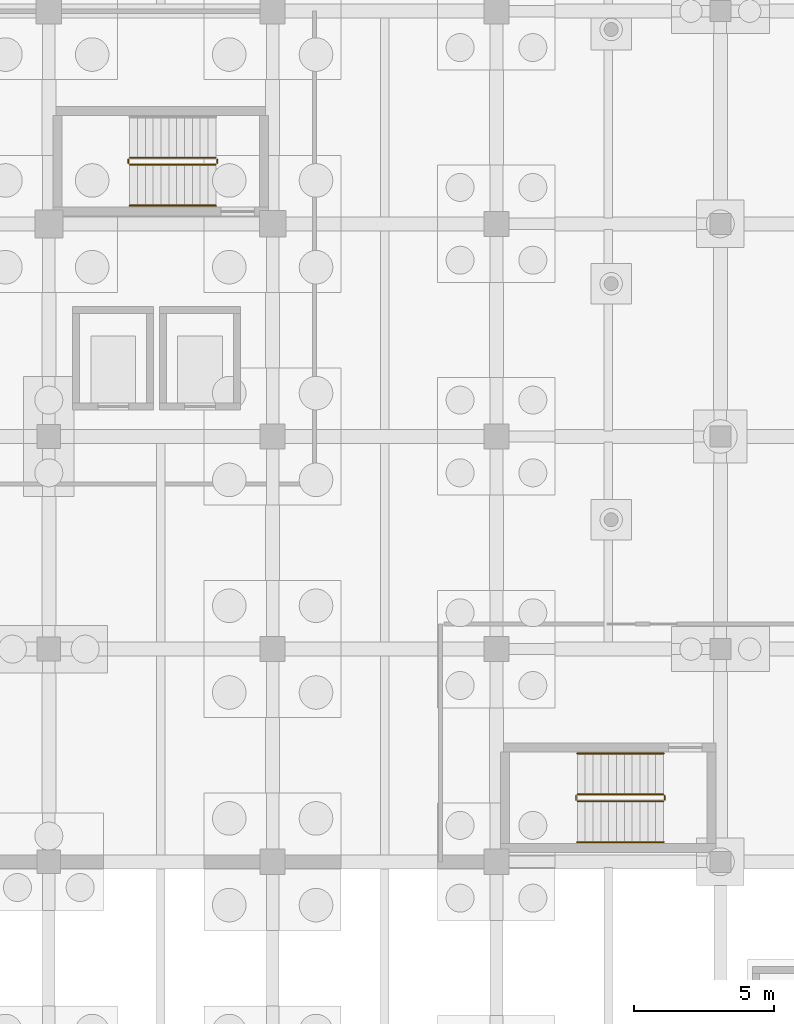
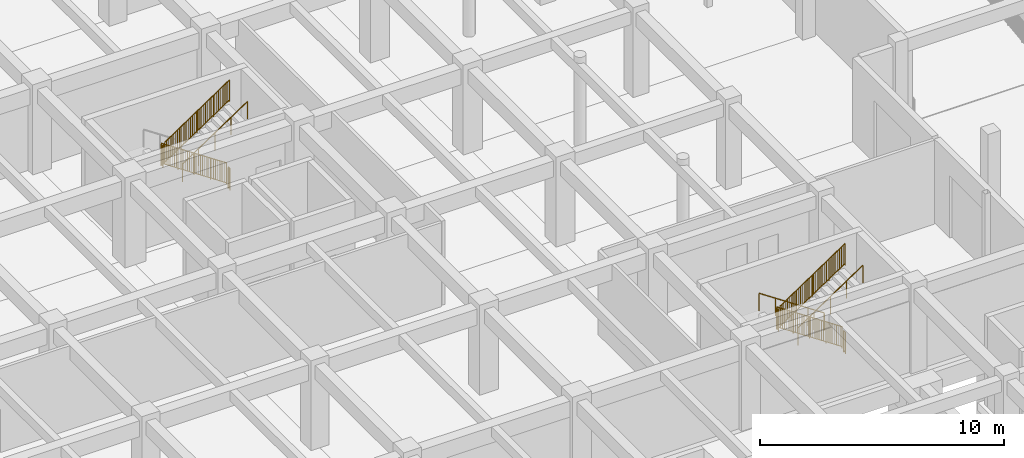
# One storey, part 46 of 49: 11 railings.
"""IFC4 building model written with IfcOpenShell, lengths in metres."""

from ifc_helpers import new_model, si_unit, direction, frame, origin, origin_2d, place, context, subcontext, project, spatial, rectangle, circle, extrude, material, type_object, element, save


model = new_model("IFC4")

# Units and contexts
model_context = context("Model", 3, precision=1e-05, world=origin(), true_north=direction((0.0, 1.0)))
body_context = subcontext(model_context, "Body", "Model", "MODEL_VIEW")
ifc_project = project(units=[si_unit("LENGTHUNIT", "METRE"), si_unit("AREAUNIT", "SQUARE_METRE"), si_unit("VOLUMEUNIT", "CUBIC_METRE"), si_unit("PLANEANGLEUNIT", "RADIAN"), si_unit("MASSUNIT", "GRAM", prefix="KILO")], contexts=[model_context])

# Site, building, storey
site_placement = place(None, origin())
site = spatial("IfcSite", under=ifc_project, at=site_placement, CompositionType="ELEMENT")
building_placement = place(site_placement, origin())
building = spatial("IfcBuilding", under=site, at=building_placement, Name="Zantavel Square City Hall", CompositionType="ELEMENT")
storey_placement = place(building_placement, frame((0.0, 0.0, -4.5)))
storey = spatial("IfcBuildingStorey", under=building, at=storey_placement, Name="B1", CompositionType="ELEMENT", Elevation=-4.5)

# Railings
ifc_material_1 = material(Name="Steel ASTM A500 Grade B", Category="steel")
railing_type_1 = type_object("IfcRailingType", Name="Atrium & Gallery Steel Guard Railing 1100mm", PredefinedType="GUARDRAIL", material=ifc_material_1)
railing_1_placement = place(storey_placement, frame((117.969970703125, 40.409912109375, 0.1875)))
element("IfcRailing", 1, at=railing_1_placement, inside=storey, type_object=railing_type_1, Name="B1 ST4 stair guard 1", PredefinedType="GUARDRAIL", context=body_context, shape_type="SweptSolid", body=[
    extrude(circle(Radius=0.02392578125, at=origin_2d()), frame((0.0, 0.0, 1.076171875), z_axis=(-0.830913701846, 0.0, 0.55640131208), x_axis=(0.0, -1.0, 0.0)), (0.0, 0.0, 1.0), 3.706787109375),
    extrude(rectangle(XDim=0.031982421875, YDim=0.031982421875, at=origin_2d()), frame((0.0, 0.0, 0.080078125), z_axis=(-0.830913701846, 0.0, 0.55640131208), x_axis=(0.0, -1.0, 0.0)), (0.0, 0.0, 1.0), 3.706787109375),
    extrude(rectangle(XDim=0.02197265625, YDim=0.02197265625, at=origin_2d()), frame((-0.087890625, 0.0, 0.138916015625)), (0.0, 0.0, 1.0), 0.971923828125),
    extrude(rectangle(XDim=0.02197265625, YDim=0.02197265625, at=origin_2d()), frame((-0.176025390625, 0.0, 0.19775390625)), (0.0, 0.0, 1.0), 0.971923828125),
    extrude(rectangle(XDim=0.02197265625, YDim=0.02197265625, at=origin_2d()), frame((-0.263916015625, 0.0, 0.2568359375)), (0.0, 0.0, 1.0), 0.971923828125),
    extrude(rectangle(XDim=0.02197265625, YDim=0.02197265625, at=origin_2d()), frame((-0.35205078125, 0.0, 0.315673828125)), (0.0, 0.0, 1.0), 0.971923828125),
    extrude(rectangle(XDim=0.02197265625, YDim=0.02197265625, at=origin_2d()), frame((-0.43994140625, 0.0, 0.374755859375)), (0.0, 0.0, 1.0), 0.971923828125),
    extrude(rectangle(XDim=0.02197265625, YDim=0.02197265625, at=origin_2d()), frame((-0.528076171875, 0.0, 0.43359375)), (0.0, 0.0, 1.0), 0.971923828125),
    extrude(rectangle(XDim=0.02197265625, YDim=0.02197265625, at=origin_2d()), frame((-0.615966796875, 0.0, 0.492431640625)), (0.0, 0.0, 1.0), 0.971923828125),
    extrude(rectangle(XDim=0.02197265625, YDim=0.02197265625, at=origin_2d()), frame((-0.7041015625, 0.0, 0.551513671875)), (0.0, 0.0, 1.0), 0.971923828125),
    extrude(rectangle(XDim=0.02197265625, YDim=0.02197265625, at=origin_2d()), frame((-0.880126953125, 0.0, 0.669189453125)), (0.0, 0.0, 1.0), 0.971923828125),
    extrude(rectangle(XDim=0.02197265625, YDim=0.02197265625, at=origin_2d()), frame((-0.968017578125, 0.0, 0.728271484375)), (0.0, 0.0, 1.0), 0.971923828125),
    extrude(rectangle(XDim=0.02197265625, YDim=0.02197265625, at=origin_2d()), frame((-1.055908203125, 0.0, 0.787109375)), (0.0, 0.0, 1.0), 0.971923828125),
    extrude(rectangle(XDim=0.02197265625, YDim=0.02197265625, at=origin_2d()), frame((-1.14404296875, 0.0, 0.84619140625)), (0.0, 0.0, 1.0), 0.971923828125),
    extrude(rectangle(XDim=0.02197265625, YDim=0.02197265625, at=origin_2d()), frame((-1.23193359375, 0.0, 0.905029296875)), (0.0, 0.0, 1.0), 0.971923828125),
    extrude(rectangle(XDim=0.02197265625, YDim=0.02197265625, at=origin_2d()), frame((-1.320068359375, 0.0, 0.9638671875)), (0.0, 0.0, 1.0), 0.971923828125),
    extrude(rectangle(XDim=0.02197265625, YDim=0.02197265625, at=origin_2d()), frame((-1.407958984375, 0.0, 1.02294921875)), (0.0, 0.0, 1.0), 0.971923828125),
    extrude(rectangle(XDim=0.02197265625, YDim=0.02197265625, at=origin_2d()), frame((-1.49609375, 0.0, 1.081787109375)), (0.0, 0.0, 1.0), 0.971923828125),
    extrude(rectangle(XDim=0.02197265625, YDim=0.02197265625, at=origin_2d()), frame((-1.583984375, 0.0, 1.140625)), (0.0, 0.0, 1.0), 0.971923828125),
    extrude(rectangle(XDim=0.02197265625, YDim=0.02197265625, at=origin_2d()), frame((-1.672119140625, 0.0, 1.19970703125)), (0.0, 0.0, 1.0), 0.971923828125),
    extrude(rectangle(XDim=0.02197265625, YDim=0.02197265625, at=origin_2d()), frame((-1.760009765625, 0.0, 1.258544921875)), (0.0, 0.0, 1.0), 0.971923828125),
    extrude(rectangle(XDim=0.02197265625, YDim=0.02197265625, at=origin_2d()), frame((-1.84814453125, 0.0, 1.3173828125)), (0.0, 0.0, 1.0), 0.971923828125),
    extrude(rectangle(XDim=0.02197265625, YDim=0.02197265625, at=origin_2d()), frame((-1.93603515625, 0.0, 1.37646484375)), (0.0, 0.0, 1.0), 0.971923828125),
    extrude(rectangle(XDim=0.02197265625, YDim=0.02197265625, at=origin_2d()), frame((-2.024169921875, 0.0, 1.435302734375)), (0.0, 0.0, 1.0), 0.971923828125),
    extrude(rectangle(XDim=0.02197265625, YDim=0.02197265625, at=origin_2d()), frame((-2.112060546875, 0.0, 1.494384765625)), (0.0, 0.0, 1.0), 0.971923828125),
    extrude(rectangle(XDim=0.02197265625, YDim=0.02197265625, at=origin_2d()), frame((-2.199951171875, 0.0, 1.55322265625)), (0.0, 0.0, 1.0), 0.971923828125),
    extrude(rectangle(XDim=0.02197265625, YDim=0.02197265625, at=origin_2d()), frame((-2.3759765625, 0.0, 1.671142578125)), (0.0, 0.0, 1.0), 0.971923828125),
    extrude(rectangle(XDim=0.02197265625, YDim=0.02197265625, at=origin_2d()), frame((-2.464111328125, 0.0, 1.72998046875)), (0.0, 0.0, 1.0), 0.971923828125),
    extrude(rectangle(XDim=0.02197265625, YDim=0.02197265625, at=origin_2d()), frame((-2.552001953125, 0.0, 1.788818359375)), (0.0, 0.0, 1.0), 0.971923828125),
    extrude(rectangle(XDim=0.02197265625, YDim=0.02197265625, at=origin_2d()), frame((-2.64013671875, 0.0, 1.847900390625)), (0.0, 0.0, 1.0), 0.971923828125),
    extrude(rectangle(XDim=0.02197265625, YDim=0.02197265625, at=origin_2d()), frame((-2.72802734375, 0.0, 1.90673828125)), (0.0, 0.0, 1.0), 0.971923828125),
    extrude(rectangle(XDim=0.02197265625, YDim=0.02197265625, at=origin_2d()), frame((-2.816162109375, 0.0, 1.9658203125)), (0.0, 0.0, 1.0), 0.971923828125),
    extrude(rectangle(XDim=0.02197265625, YDim=0.02197265625, at=origin_2d()), frame((-2.904052734375, 0.0, 2.024658203125)), (0.0, 0.0, 1.0), 0.971923828125),
    extrude(rectangle(XDim=0.02197265625, YDim=0.02197265625, at=origin_2d()), frame((-2.9921875, 0.0, 2.08349609375)), (0.0, 0.0, 1.0), 0.971923828125),
    extrude(circle(Radius=0.02099609375, at=origin_2d()), origin(), (0.0, 0.0, 1.0), 1.052001953125),
    extrude(circle(Radius=0.02099609375, at=origin_2d()), frame((-0.77001953125, 0.0, 0.515625)), (0.0, 0.0, 1.0), 1.052001953125),
    extrude(circle(Radius=0.02099609375, at=origin_2d()), frame((-1.5400390625, 0.0, 1.03125)), (0.0, 0.0, 1.0), 1.052001953125),
    extrude(circle(Radius=0.02099609375, at=origin_2d()), frame((-2.31005859375, 0.0, 1.546875)), (0.0, 0.0, 1.0), 1.052001953125),
    extrude(circle(Radius=0.02099609375, at=origin_2d()), frame((-3.080078125, 0.0, 2.0625)), (0.0, 0.0, 1.0), 1.052001953125),
])
railing_2_placement = place(storey_placement, frame((114.840087890625, 40.360107421875, 2.25)))
element("IfcRailing", 2, at=railing_2_placement, inside=storey, type_object=railing_type_1, Name="B1 ST4 stair guard 2", PredefinedType="GUARDRAIL", context=body_context, shape_type="SweptSolid", body=[
    extrude(circle(Radius=0.02392578125, at=origin_2d()), frame((0.0, 0.0, 1.076171875), z_axis=(0.0, -1.0, 0.0), x_axis=(1.0, 0.0, 0.0)), (0.0, 0.0, 1.0), 0.150146484375),
    extrude(rectangle(XDim=0.031982421875, YDim=0.031982421875, at=origin_2d()), frame((0.0, 0.0, 0.080078125), z_axis=(0.0, -1.0, 0.0), x_axis=(1.0, 0.0, 0.0)), (0.0, 0.0, 1.0), 0.150146484375),
    extrude(rectangle(XDim=0.02197265625, YDim=0.02197265625, at=origin_2d()), frame((0.0, -0.0751953125, 0.080078125)), (0.0, 0.0, 1.0), 0.971923828125),
    extrude(circle(Radius=0.02099609375, at=origin_2d()), origin(), (0.0, 0.0, 1.0), 1.052001953125),
    extrude(circle(Radius=0.02099609375, at=origin_2d()), frame((0.0, -0.150146484375, 0.0)), (0.0, 0.0, 1.0), 1.052001953125),
])
railing_3_placement = place(storey_placement, frame((114.889892578125, 40.159912109375, 2.4375)))
element("IfcRailing", 3, at=railing_3_placement, inside=storey, type_object=railing_type_1, Name="B1 ST4 stair guard 3", PredefinedType="GUARDRAIL", context=body_context, shape_type="SweptSolid", body=[
    extrude(circle(Radius=0.02392578125, at=origin_2d()), frame((0.0, 0.0, 1.076171875), z_axis=(0.830913701846, 0.0, 0.55640131208), x_axis=(0.0, 1.0, 0.0)), (0.0, 0.0, 1.0), 3.706787109375),
    extrude(rectangle(XDim=0.031982421875, YDim=0.031982421875, at=origin_2d()), frame((0.0, 0.0, 0.080078125), z_axis=(0.830913701846, 0.0, 0.55640131208), x_axis=(0.0, 1.0, 0.0)), (0.0, 0.0, 1.0), 3.706787109375),
    extrude(rectangle(XDim=0.02197265625, YDim=0.02197265625, at=origin_2d()), frame((0.087890625, 0.0, 0.138916015625)), (0.0, 0.0, 1.0), 0.971923828125),
    extrude(rectangle(XDim=0.02197265625, YDim=0.02197265625, at=origin_2d()), frame((0.176025390625, 0.0, 0.19775390625)), (0.0, 0.0, 1.0), 0.971923828125),
    extrude(rectangle(XDim=0.02197265625, YDim=0.02197265625, at=origin_2d()), frame((0.263916015625, 0.0, 0.2568359375)), (0.0, 0.0, 1.0), 0.971923828125),
    extrude(rectangle(XDim=0.02197265625, YDim=0.02197265625, at=origin_2d()), frame((0.35205078125, 0.0, 0.315673828125)), (0.0, 0.0, 1.0), 0.971923828125),
    extrude(rectangle(XDim=0.02197265625, YDim=0.02197265625, at=origin_2d()), frame((0.43994140625, 0.0, 0.374755859375)), (0.0, 0.0, 1.0), 0.971923828125),
    extrude(rectangle(XDim=0.02197265625, YDim=0.02197265625, at=origin_2d()), frame((0.528076171875, 0.0, 0.43359375)), (0.0, 0.0, 1.0), 0.971923828125),
    extrude(rectangle(XDim=0.02197265625, YDim=0.02197265625, at=origin_2d()), frame((0.615966796875, 0.0, 0.492431640625)), (0.0, 0.0, 1.0), 0.971923828125),
    extrude(rectangle(XDim=0.02197265625, YDim=0.02197265625, at=origin_2d()), frame((0.7041015625, 0.0, 0.551513671875)), (0.0, 0.0, 1.0), 0.971923828125),
    extrude(rectangle(XDim=0.02197265625, YDim=0.02197265625, at=origin_2d()), frame((0.880126953125, 0.0, 0.669189453125)), (0.0, 0.0, 1.0), 0.971923828125),
    extrude(rectangle(XDim=0.02197265625, YDim=0.02197265625, at=origin_2d()), frame((0.968017578125, 0.0, 0.728271484375)), (0.0, 0.0, 1.0), 0.971923828125),
    extrude(rectangle(XDim=0.02197265625, YDim=0.02197265625, at=origin_2d()), frame((1.055908203125, 0.0, 0.787109375)), (0.0, 0.0, 1.0), 0.971923828125),
    extrude(rectangle(XDim=0.02197265625, YDim=0.02197265625, at=origin_2d()), frame((1.14404296875, 0.0, 0.84619140625)), (0.0, 0.0, 1.0), 0.971923828125),
    extrude(rectangle(XDim=0.02197265625, YDim=0.02197265625, at=origin_2d()), frame((1.23193359375, 0.0, 0.905029296875)), (0.0, 0.0, 1.0), 0.971923828125),
    extrude(rectangle(XDim=0.02197265625, YDim=0.02197265625, at=origin_2d()), frame((1.320068359375, 0.0, 0.9638671875)), (0.0, 0.0, 1.0), 0.971923828125),
    extrude(rectangle(XDim=0.02197265625, YDim=0.02197265625, at=origin_2d()), frame((1.407958984375, 0.0, 1.02294921875)), (0.0, 0.0, 1.0), 0.971923828125),
    extrude(rectangle(XDim=0.02197265625, YDim=0.02197265625, at=origin_2d()), frame((1.49609375, 0.0, 1.081787109375)), (0.0, 0.0, 1.0), 0.971923828125),
    extrude(rectangle(XDim=0.02197265625, YDim=0.02197265625, at=origin_2d()), frame((1.583984375, 0.0, 1.140625)), (0.0, 0.0, 1.0), 0.971923828125),
    extrude(rectangle(XDim=0.02197265625, YDim=0.02197265625, at=origin_2d()), frame((1.672119140625, 0.0, 1.19970703125)), (0.0, 0.0, 1.0), 0.971923828125),
    extrude(rectangle(XDim=0.02197265625, YDim=0.02197265625, at=origin_2d()), frame((1.760009765625, 0.0, 1.258544921875)), (0.0, 0.0, 1.0), 0.971923828125),
    extrude(rectangle(XDim=0.02197265625, YDim=0.02197265625, at=origin_2d()), frame((1.84814453125, 0.0, 1.3173828125)), (0.0, 0.0, 1.0), 0.971923828125),
    extrude(rectangle(XDim=0.02197265625, YDim=0.02197265625, at=origin_2d()), frame((1.93603515625, 0.0, 1.37646484375)), (0.0, 0.0, 1.0), 0.971923828125),
    extrude(rectangle(XDim=0.02197265625, YDim=0.02197265625, at=origin_2d()), frame((2.024169921875, 0.0, 1.435302734375)), (0.0, 0.0, 1.0), 0.971923828125),
    extrude(rectangle(XDim=0.02197265625, YDim=0.02197265625, at=origin_2d()), frame((2.112060546875, 0.0, 1.494384765625)), (0.0, 0.0, 1.0), 0.971923828125),
    extrude(rectangle(XDim=0.02197265625, YDim=0.02197265625, at=origin_2d()), frame((2.199951171875, 0.0, 1.55322265625)), (0.0, 0.0, 1.0), 0.971923828125),
    extrude(rectangle(XDim=0.02197265625, YDim=0.02197265625, at=origin_2d()), frame((2.3759765625, 0.0, 1.671142578125)), (0.0, 0.0, 1.0), 0.971923828125),
    extrude(rectangle(XDim=0.02197265625, YDim=0.02197265625, at=origin_2d()), frame((2.464111328125, 0.0, 1.72998046875)), (0.0, 0.0, 1.0), 0.971923828125),
    extrude(rectangle(XDim=0.02197265625, YDim=0.02197265625, at=origin_2d()), frame((2.552001953125, 0.0, 1.788818359375)), (0.0, 0.0, 1.0), 0.971923828125),
    extrude(rectangle(XDim=0.02197265625, YDim=0.02197265625, at=origin_2d()), frame((2.64013671875, 0.0, 1.847900390625)), (0.0, 0.0, 1.0), 0.971923828125),
    extrude(rectangle(XDim=0.02197265625, YDim=0.02197265625, at=origin_2d()), frame((2.72802734375, 0.0, 1.90673828125)), (0.0, 0.0, 1.0), 0.971923828125),
    extrude(rectangle(XDim=0.02197265625, YDim=0.02197265625, at=origin_2d()), frame((2.816162109375, 0.0, 1.9658203125)), (0.0, 0.0, 1.0), 0.971923828125),
    extrude(rectangle(XDim=0.02197265625, YDim=0.02197265625, at=origin_2d()), frame((2.904052734375, 0.0, 2.024658203125)), (0.0, 0.0, 1.0), 0.971923828125),
    extrude(rectangle(XDim=0.02197265625, YDim=0.02197265625, at=origin_2d()), frame((2.9921875, 0.0, 2.08349609375)), (0.0, 0.0, 1.0), 0.971923828125),
    extrude(circle(Radius=0.02099609375, at=origin_2d()), origin(), (0.0, 0.0, 1.0), 1.052001953125),
    extrude(circle(Radius=0.02099609375, at=origin_2d()), frame((0.77001953125, 0.0, 0.515625)), (0.0, 0.0, 1.0), 1.052001953125),
    extrude(circle(Radius=0.02099609375, at=origin_2d()), frame((1.5400390625, 0.0, 1.03125)), (0.0, 0.0, 1.0), 1.052001953125),
    extrude(circle(Radius=0.02099609375, at=origin_2d()), frame((2.31005859375, 0.0, 1.546875)), (0.0, 0.0, 1.0), 1.052001953125),
    extrude(circle(Radius=0.02099609375, at=origin_2d()), frame((3.080078125, 0.0, 2.0625)), (0.0, 0.0, 1.0), 1.052001953125),
])
railing_4_placement = place(storey_placement, frame((118.02001953125, 40.360107421875, 0.0)))
element("IfcRailing", 4, at=railing_4_placement, inside=storey, type_object=railing_type_1, Name="B1 ST4 stair guard 4", PredefinedType="GUARDRAIL", context=body_context, shape_type="SweptSolid", body=[
    extrude(circle(Radius=0.02392578125, at=origin_2d()), frame((0.0, 0.0, 1.076171875), z_axis=(0.0, -1.0, 0.0), x_axis=(1.0, 0.0, 0.0)), (0.0, 0.0, 1.0), 0.150146484375),
    extrude(rectangle(XDim=0.031982421875, YDim=0.031982421875, at=origin_2d()), frame((0.0, 0.0, 0.080078125), z_axis=(0.0, -1.0, 0.0), x_axis=(1.0, 0.0, 0.0)), (0.0, 0.0, 1.0), 0.150146484375),
    extrude(rectangle(XDim=0.02197265625, YDim=0.02197265625, at=origin_2d()), frame((0.0, -0.0751953125, 0.080078125)), (0.0, 0.0, 1.0), 0.971923828125),
    extrude(circle(Radius=0.02099609375, at=origin_2d()), origin(), (0.0, 0.0, 1.0), 1.052001953125),
    extrude(circle(Radius=0.02099609375, at=origin_2d()), frame((0.0, -0.150146484375, 0.0)), (0.0, 0.0, 1.0), 1.052001953125),
])
railing_5_placement = place(storey_placement, frame((101.969970703125, 63.159912109375, 0.1875)))
element("IfcRailing", 5, at=railing_5_placement, inside=storey, type_object=railing_type_1, Name="B1 ST6 stair guard 1", PredefinedType="GUARDRAIL", context=body_context, shape_type="SweptSolid", body=[
    extrude(circle(Radius=0.02392578125, at=origin_2d()), frame((0.0, 0.0, 1.076171875), z_axis=(-0.830913701846, 0.0, 0.55640131208), x_axis=(0.0, -1.0, 0.0)), (0.0, 0.0, 1.0), 3.706787109375),
    extrude(rectangle(XDim=0.031982421875, YDim=0.031982421875, at=origin_2d()), frame((0.0, 0.0, 0.080078125), z_axis=(-0.830913701846, 0.0, 0.55640131208), x_axis=(0.0, -1.0, 0.0)), (0.0, 0.0, 1.0), 3.706787109375),
    extrude(rectangle(XDim=0.02197265625, YDim=0.02197265625, at=origin_2d()), frame((-0.087890625, 0.0, 0.138916015625)), (0.0, 0.0, 1.0), 0.971923828125),
    extrude(rectangle(XDim=0.02197265625, YDim=0.02197265625, at=origin_2d()), frame((-0.176025390625, 0.0, 0.19775390625)), (0.0, 0.0, 1.0), 0.971923828125),
    extrude(rectangle(XDim=0.02197265625, YDim=0.02197265625, at=origin_2d()), frame((-0.263916015625, 0.0, 0.2568359375)), (0.0, 0.0, 1.0), 0.971923828125),
    extrude(rectangle(XDim=0.02197265625, YDim=0.02197265625, at=origin_2d()), frame((-0.35205078125, 0.0, 0.315673828125)), (0.0, 0.0, 1.0), 0.971923828125),
    extrude(rectangle(XDim=0.02197265625, YDim=0.02197265625, at=origin_2d()), frame((-0.43994140625, 0.0, 0.374755859375)), (0.0, 0.0, 1.0), 0.971923828125),
    extrude(rectangle(XDim=0.02197265625, YDim=0.02197265625, at=origin_2d()), frame((-0.528076171875, 0.0, 0.43359375)), (0.0, 0.0, 1.0), 0.971923828125),
    extrude(rectangle(XDim=0.02197265625, YDim=0.02197265625, at=origin_2d()), frame((-0.615966796875, 0.0, 0.492431640625)), (0.0, 0.0, 1.0), 0.971923828125),
    extrude(rectangle(XDim=0.02197265625, YDim=0.02197265625, at=origin_2d()), frame((-0.7041015625, 0.0, 0.551513671875)), (0.0, 0.0, 1.0), 0.971923828125),
    extrude(rectangle(XDim=0.02197265625, YDim=0.02197265625, at=origin_2d()), frame((-0.880126953125, 0.0, 0.669189453125)), (0.0, 0.0, 1.0), 0.971923828125),
    extrude(rectangle(XDim=0.02197265625, YDim=0.02197265625, at=origin_2d()), frame((-0.968017578125, 0.0, 0.728271484375)), (0.0, 0.0, 1.0), 0.971923828125),
    extrude(rectangle(XDim=0.02197265625, YDim=0.02197265625, at=origin_2d()), frame((-1.055908203125, 0.0, 0.787109375)), (0.0, 0.0, 1.0), 0.971923828125),
    extrude(rectangle(XDim=0.02197265625, YDim=0.02197265625, at=origin_2d()), frame((-1.14404296875, 0.0, 0.84619140625)), (0.0, 0.0, 1.0), 0.971923828125),
    extrude(rectangle(XDim=0.02197265625, YDim=0.02197265625, at=origin_2d()), frame((-1.23193359375, 0.0, 0.905029296875)), (0.0, 0.0, 1.0), 0.971923828125),
    extrude(rectangle(XDim=0.02197265625, YDim=0.02197265625, at=origin_2d()), frame((-1.320068359375, 0.0, 0.9638671875)), (0.0, 0.0, 1.0), 0.971923828125),
    extrude(rectangle(XDim=0.02197265625, YDim=0.02197265625, at=origin_2d()), frame((-1.407958984375, 0.0, 1.02294921875)), (0.0, 0.0, 1.0), 0.971923828125),
    extrude(rectangle(XDim=0.02197265625, YDim=0.02197265625, at=origin_2d()), frame((-1.49609375, 0.0, 1.081787109375)), (0.0, 0.0, 1.0), 0.971923828125),
    extrude(rectangle(XDim=0.02197265625, YDim=0.02197265625, at=origin_2d()), frame((-1.583984375, 0.0, 1.140625)), (0.0, 0.0, 1.0), 0.971923828125),
    extrude(rectangle(XDim=0.02197265625, YDim=0.02197265625, at=origin_2d()), frame((-1.672119140625, 0.0, 1.19970703125)), (0.0, 0.0, 1.0), 0.971923828125),
    extrude(rectangle(XDim=0.02197265625, YDim=0.02197265625, at=origin_2d()), frame((-1.760009765625, 0.0, 1.258544921875)), (0.0, 0.0, 1.0), 0.971923828125),
    extrude(rectangle(XDim=0.02197265625, YDim=0.02197265625, at=origin_2d()), frame((-1.84814453125, 0.0, 1.3173828125)), (0.0, 0.0, 1.0), 0.971923828125),
    extrude(rectangle(XDim=0.02197265625, YDim=0.02197265625, at=origin_2d()), frame((-1.93603515625, 0.0, 1.37646484375)), (0.0, 0.0, 1.0), 0.971923828125),
    extrude(rectangle(XDim=0.02197265625, YDim=0.02197265625, at=origin_2d()), frame((-2.024169921875, 0.0, 1.435302734375)), (0.0, 0.0, 1.0), 0.971923828125),
    extrude(rectangle(XDim=0.02197265625, YDim=0.02197265625, at=origin_2d()), frame((-2.112060546875, 0.0, 1.494384765625)), (0.0, 0.0, 1.0), 0.971923828125),
    extrude(rectangle(XDim=0.02197265625, YDim=0.02197265625, at=origin_2d()), frame((-2.199951171875, 0.0, 1.55322265625)), (0.0, 0.0, 1.0), 0.971923828125),
    extrude(rectangle(XDim=0.02197265625, YDim=0.02197265625, at=origin_2d()), frame((-2.3759765625, 0.0, 1.671142578125)), (0.0, 0.0, 1.0), 0.971923828125),
    extrude(rectangle(XDim=0.02197265625, YDim=0.02197265625, at=origin_2d()), frame((-2.464111328125, 0.0, 1.72998046875)), (0.0, 0.0, 1.0), 0.971923828125),
    extrude(rectangle(XDim=0.02197265625, YDim=0.02197265625, at=origin_2d()), frame((-2.552001953125, 0.0, 1.788818359375)), (0.0, 0.0, 1.0), 0.971923828125),
    extrude(rectangle(XDim=0.02197265625, YDim=0.02197265625, at=origin_2d()), frame((-2.64013671875, 0.0, 1.847900390625)), (0.0, 0.0, 1.0), 0.971923828125),
    extrude(rectangle(XDim=0.02197265625, YDim=0.02197265625, at=origin_2d()), frame((-2.72802734375, 0.0, 1.90673828125)), (0.0, 0.0, 1.0), 0.971923828125),
    extrude(rectangle(XDim=0.02197265625, YDim=0.02197265625, at=origin_2d()), frame((-2.816162109375, 0.0, 1.9658203125)), (0.0, 0.0, 1.0), 0.971923828125),
    extrude(rectangle(XDim=0.02197265625, YDim=0.02197265625, at=origin_2d()), frame((-2.904052734375, 0.0, 2.024658203125)), (0.0, 0.0, 1.0), 0.971923828125),
    extrude(rectangle(XDim=0.02197265625, YDim=0.02197265625, at=origin_2d()), frame((-2.9921875, 0.0, 2.08349609375)), (0.0, 0.0, 1.0), 0.971923828125),
    extrude(circle(Radius=0.02099609375, at=origin_2d()), origin(), (0.0, 0.0, 1.0), 1.052001953125),
    extrude(circle(Radius=0.02099609375, at=origin_2d()), frame((-0.77001953125, 0.0, 0.515625)), (0.0, 0.0, 1.0), 1.052001953125),
    extrude(circle(Radius=0.02099609375, at=origin_2d()), frame((-1.5400390625, 0.0, 1.03125)), (0.0, 0.0, 1.0), 1.052001953125),
    extrude(circle(Radius=0.02099609375, at=origin_2d()), frame((-2.31005859375, 0.0, 1.546875)), (0.0, 0.0, 1.0), 1.052001953125),
    extrude(circle(Radius=0.02099609375, at=origin_2d()), frame((-3.080078125, 0.0, 2.0625)), (0.0, 0.0, 1.0), 1.052001953125),
])
railing_6_placement = place(storey_placement, frame((98.840087890625, 63.110107421875, 2.25)))
element("IfcRailing", 6, at=railing_6_placement, inside=storey, type_object=railing_type_1, Name="B1 ST6 stair guard 2", PredefinedType="GUARDRAIL", context=body_context, shape_type="SweptSolid", body=[
    extrude(circle(Radius=0.02392578125, at=origin_2d()), frame((0.0, 0.0, 1.076171875), z_axis=(0.0, -1.0, 0.0), x_axis=(1.0, 0.0, 0.0)), (0.0, 0.0, 1.0), 0.150146484375),
    extrude(rectangle(XDim=0.031982421875, YDim=0.031982421875, at=origin_2d()), frame((0.0, 0.0, 0.080078125), z_axis=(0.0, -1.0, 0.0), x_axis=(1.0, 0.0, 0.0)), (0.0, 0.0, 1.0), 0.150146484375),
    extrude(rectangle(XDim=0.02197265625, YDim=0.02197265625, at=origin_2d()), frame((0.0, -0.0751953125, 0.080078125)), (0.0, 0.0, 1.0), 0.971923828125),
    extrude(circle(Radius=0.02099609375, at=origin_2d()), origin(), (0.0, 0.0, 1.0), 1.052001953125),
    extrude(circle(Radius=0.02099609375, at=origin_2d()), frame((0.0, -0.150146484375, 0.0)), (0.0, 0.0, 1.0), 1.052001953125),
])
railing_7_placement = place(storey_placement, frame((98.889892578125, 62.909912109375, 2.4375)))
element("IfcRailing", 7, at=railing_7_placement, inside=storey, type_object=railing_type_1, Name="B1 ST6 stair guard 3", PredefinedType="GUARDRAIL", context=body_context, shape_type="SweptSolid", body=[
    extrude(circle(Radius=0.02392578125, at=origin_2d()), frame((0.0, 0.0, 1.076171875), z_axis=(0.830913701846, 0.0, 0.55640131208), x_axis=(0.0, 1.0, 0.0)), (0.0, 0.0, 1.0), 3.706787109375),
    extrude(rectangle(XDim=0.031982421875, YDim=0.031982421875, at=origin_2d()), frame((0.0, 0.0, 0.080078125), z_axis=(0.830913701846, 0.0, 0.55640131208), x_axis=(0.0, 1.0, 0.0)), (0.0, 0.0, 1.0), 3.706787109375),
    extrude(rectangle(XDim=0.02197265625, YDim=0.02197265625, at=origin_2d()), frame((0.087890625, 0.0, 0.138916015625)), (0.0, 0.0, 1.0), 0.971923828125),
    extrude(rectangle(XDim=0.02197265625, YDim=0.02197265625, at=origin_2d()), frame((0.176025390625, 0.0, 0.19775390625)), (0.0, 0.0, 1.0), 0.971923828125),
    extrude(rectangle(XDim=0.02197265625, YDim=0.02197265625, at=origin_2d()), frame((0.263916015625, 0.0, 0.2568359375)), (0.0, 0.0, 1.0), 0.971923828125),
    extrude(rectangle(XDim=0.02197265625, YDim=0.02197265625, at=origin_2d()), frame((0.35205078125, 0.0, 0.315673828125)), (0.0, 0.0, 1.0), 0.971923828125),
    extrude(rectangle(XDim=0.02197265625, YDim=0.02197265625, at=origin_2d()), frame((0.43994140625, 0.0, 0.374755859375)), (0.0, 0.0, 1.0), 0.971923828125),
    extrude(rectangle(XDim=0.02197265625, YDim=0.02197265625, at=origin_2d()), frame((0.528076171875, 0.0, 0.43359375)), (0.0, 0.0, 1.0), 0.971923828125),
    extrude(rectangle(XDim=0.02197265625, YDim=0.02197265625, at=origin_2d()), frame((0.615966796875, 0.0, 0.492431640625)), (0.0, 0.0, 1.0), 0.971923828125),
    extrude(rectangle(XDim=0.02197265625, YDim=0.02197265625, at=origin_2d()), frame((0.7041015625, 0.0, 0.551513671875)), (0.0, 0.0, 1.0), 0.971923828125),
    extrude(rectangle(XDim=0.02197265625, YDim=0.02197265625, at=origin_2d()), frame((0.880126953125, 0.0, 0.669189453125)), (0.0, 0.0, 1.0), 0.971923828125),
    extrude(rectangle(XDim=0.02197265625, YDim=0.02197265625, at=origin_2d()), frame((0.968017578125, 0.0, 0.728271484375)), (0.0, 0.0, 1.0), 0.971923828125),
    extrude(rectangle(XDim=0.02197265625, YDim=0.02197265625, at=origin_2d()), frame((1.055908203125, 0.0, 0.787109375)), (0.0, 0.0, 1.0), 0.971923828125),
    extrude(rectangle(XDim=0.02197265625, YDim=0.02197265625, at=origin_2d()), frame((1.14404296875, 0.0, 0.84619140625)), (0.0, 0.0, 1.0), 0.971923828125),
    extrude(rectangle(XDim=0.02197265625, YDim=0.02197265625, at=origin_2d()), frame((1.23193359375, 0.0, 0.905029296875)), (0.0, 0.0, 1.0), 0.971923828125),
    extrude(rectangle(XDim=0.02197265625, YDim=0.02197265625, at=origin_2d()), frame((1.320068359375, 0.0, 0.9638671875)), (0.0, 0.0, 1.0), 0.971923828125),
    extrude(rectangle(XDim=0.02197265625, YDim=0.02197265625, at=origin_2d()), frame((1.407958984375, 0.0, 1.02294921875)), (0.0, 0.0, 1.0), 0.971923828125),
    extrude(rectangle(XDim=0.02197265625, YDim=0.02197265625, at=origin_2d()), frame((1.49609375, 0.0, 1.081787109375)), (0.0, 0.0, 1.0), 0.971923828125),
    extrude(rectangle(XDim=0.02197265625, YDim=0.02197265625, at=origin_2d()), frame((1.583984375, 0.0, 1.140625)), (0.0, 0.0, 1.0), 0.971923828125),
    extrude(rectangle(XDim=0.02197265625, YDim=0.02197265625, at=origin_2d()), frame((1.672119140625, 0.0, 1.19970703125)), (0.0, 0.0, 1.0), 0.971923828125),
    extrude(rectangle(XDim=0.02197265625, YDim=0.02197265625, at=origin_2d()), frame((1.760009765625, 0.0, 1.258544921875)), (0.0, 0.0, 1.0), 0.971923828125),
    extrude(rectangle(XDim=0.02197265625, YDim=0.02197265625, at=origin_2d()), frame((1.84814453125, 0.0, 1.3173828125)), (0.0, 0.0, 1.0), 0.971923828125),
    extrude(rectangle(XDim=0.02197265625, YDim=0.02197265625, at=origin_2d()), frame((1.93603515625, 0.0, 1.37646484375)), (0.0, 0.0, 1.0), 0.971923828125),
    extrude(rectangle(XDim=0.02197265625, YDim=0.02197265625, at=origin_2d()), frame((2.024169921875, 0.0, 1.435302734375)), (0.0, 0.0, 1.0), 0.971923828125),
    extrude(rectangle(XDim=0.02197265625, YDim=0.02197265625, at=origin_2d()), frame((2.112060546875, 0.0, 1.494384765625)), (0.0, 0.0, 1.0), 0.971923828125),
    extrude(rectangle(XDim=0.02197265625, YDim=0.02197265625, at=origin_2d()), frame((2.199951171875, 0.0, 1.55322265625)), (0.0, 0.0, 1.0), 0.971923828125),
    extrude(rectangle(XDim=0.02197265625, YDim=0.02197265625, at=origin_2d()), frame((2.3759765625, 0.0, 1.671142578125)), (0.0, 0.0, 1.0), 0.971923828125),
    extrude(rectangle(XDim=0.02197265625, YDim=0.02197265625, at=origin_2d()), frame((2.464111328125, 0.0, 1.72998046875)), (0.0, 0.0, 1.0), 0.971923828125),
    extrude(rectangle(XDim=0.02197265625, YDim=0.02197265625, at=origin_2d()), frame((2.552001953125, 0.0, 1.788818359375)), (0.0, 0.0, 1.0), 0.971923828125),
    extrude(rectangle(XDim=0.02197265625, YDim=0.02197265625, at=origin_2d()), frame((2.64013671875, 0.0, 1.847900390625)), (0.0, 0.0, 1.0), 0.971923828125),
    extrude(rectangle(XDim=0.02197265625, YDim=0.02197265625, at=origin_2d()), frame((2.72802734375, 0.0, 1.90673828125)), (0.0, 0.0, 1.0), 0.971923828125),
    extrude(rectangle(XDim=0.02197265625, YDim=0.02197265625, at=origin_2d()), frame((2.816162109375, 0.0, 1.9658203125)), (0.0, 0.0, 1.0), 0.971923828125),
    extrude(rectangle(XDim=0.02197265625, YDim=0.02197265625, at=origin_2d()), frame((2.904052734375, 0.0, 2.024658203125)), (0.0, 0.0, 1.0), 0.971923828125),
    extrude(rectangle(XDim=0.02197265625, YDim=0.02197265625, at=origin_2d()), frame((2.9921875, 0.0, 2.08349609375)), (0.0, 0.0, 1.0), 0.971923828125),
    extrude(circle(Radius=0.02099609375, at=origin_2d()), origin(), (0.0, 0.0, 1.0), 1.052001953125),
    extrude(circle(Radius=0.02099609375, at=origin_2d()), frame((0.77001953125, 0.0, 0.515625)), (0.0, 0.0, 1.0), 1.052001953125),
    extrude(circle(Radius=0.02099609375, at=origin_2d()), frame((1.5400390625, 0.0, 1.03125)), (0.0, 0.0, 1.0), 1.052001953125),
    extrude(circle(Radius=0.02099609375, at=origin_2d()), frame((2.31005859375, 0.0, 1.546875)), (0.0, 0.0, 1.0), 1.052001953125),
    extrude(circle(Radius=0.02099609375, at=origin_2d()), frame((3.080078125, 0.0, 2.0625)), (0.0, 0.0, 1.0), 1.052001953125),
])
railing_8_placement = place(storey_placement, frame((102.02001953125, 63.110107421875, 0.0)))
element("IfcRailing", 8, at=railing_8_placement, inside=storey, type_object=railing_type_1, Name="B1 ST6 stair guard 4", PredefinedType="GUARDRAIL", context=body_context, shape_type="SweptSolid", body=[
    extrude(circle(Radius=0.02392578125, at=origin_2d()), frame((0.0, 0.0, 1.076171875), z_axis=(0.0, -1.0, 0.0), x_axis=(1.0, 0.0, 0.0)), (0.0, 0.0, 1.0), 0.150146484375),
    extrude(rectangle(XDim=0.031982421875, YDim=0.031982421875, at=origin_2d()), frame((0.0, 0.0, 0.080078125), z_axis=(0.0, -1.0, 0.0), x_axis=(1.0, 0.0, 0.0)), (0.0, 0.0, 1.0), 0.150146484375),
    extrude(rectangle(XDim=0.02197265625, YDim=0.02197265625, at=origin_2d()), frame((0.0, -0.0751953125, 0.080078125)), (0.0, 0.0, 1.0), 0.971923828125),
    extrude(circle(Radius=0.02099609375, at=origin_2d()), origin(), (0.0, 0.0, 1.0), 1.052001953125),
    extrude(circle(Radius=0.02099609375, at=origin_2d()), frame((0.0, -0.150146484375, 0.0)), (0.0, 0.0, 1.0), 1.052001953125),
])
ifc_material_2 = material(Name="Stainless steel 316", Category="steel")
railing_type_2 = type_object("IfcRailingType", Name="Stair Stainless Steel Handrail 900mm", PredefinedType="HANDRAIL", material=ifc_material_2)
railing_9_placement = place(storey_placement, frame((117.969970703125, 41.8701171875, 0.1875)))
element("IfcRailing", 9, at=railing_9_placement, inside=storey, type_object=railing_type_2, Name="B1 ST4 stair handrail 1", PredefinedType="HANDRAIL", context=body_context, shape_type="SweptSolid", body=[
    extrude(circle(Radius=0.02392578125, at=origin_2d()), frame((0.0, 0.0, 0.8759765625), z_axis=(-0.830913701846, 0.0, 0.55640131208), x_axis=(0.0, -1.0, 0.0)), (0.0, 0.0, 1.0), 3.706787109375),
    extrude(circle(Radius=0.02099609375, at=origin_2d()), origin(), (0.0, 0.0, 1.0), 0.851806640625),
    extrude(circle(Radius=0.02099609375, at=origin_2d()), frame((-0.77001953125, 0.0, 0.515625)), (0.0, 0.0, 1.0), 0.851806640625),
    extrude(circle(Radius=0.02099609375, at=origin_2d()), frame((-1.5400390625, 0.0, 1.03125)), (0.0, 0.0, 1.0), 0.851806640625),
    extrude(circle(Radius=0.02099609375, at=origin_2d()), frame((-2.31005859375, 0.0, 1.546875)), (0.0, 0.0, 1.0), 0.851806640625),
    extrude(circle(Radius=0.02099609375, at=origin_2d()), frame((-3.080078125, 0.0, 2.0625)), (0.0, 0.0, 1.0), 0.851806640625),
])
for number, where, name in (
    (10, (114.889892578125, 38.699951171875, 2.4375), "B1 ST4 stair handrail 2"),
    (11, (98.889892578125, 61.449951171875, 2.4375), "B1 ST6 stair handrail 2"),
):
    element("IfcRailing", number, at=place(storey_placement, frame(where)), inside=storey, type_object=railing_type_2, Name=name, PredefinedType="HANDRAIL", context=body_context, shape_type="SweptSolid", body=[
        extrude(circle(Radius=0.02392578125, at=origin_2d()), frame((0.0, 0.0, 0.8759765625), z_axis=(0.830913701846, 0.0, 0.55640131208), x_axis=(0.0, 1.0, 0.0)), (0.0, 0.0, 1.0), 3.706787109375),
        extrude(circle(Radius=0.02099609375, at=origin_2d()), origin(), (0.0, 0.0, 1.0), 0.851806640625),
        extrude(circle(Radius=0.02099609375, at=origin_2d()), frame((0.77001953125, 0.0, 0.515625)), (0.0, 0.0, 1.0), 0.851806640625),
        extrude(circle(Radius=0.02099609375, at=origin_2d()), frame((1.5400390625, 0.0, 1.03125)), (0.0, 0.0, 1.0), 0.851806640625),
        extrude(circle(Radius=0.02099609375, at=origin_2d()), frame((2.31005859375, 0.0, 1.546875)), (0.0, 0.0, 1.0), 0.851806640625),
        extrude(circle(Radius=0.02099609375, at=origin_2d()), frame((3.080078125, 0.0, 2.0625)), (0.0, 0.0, 1.0), 0.851806640625),
    ])

save(model, "model.ifc")
